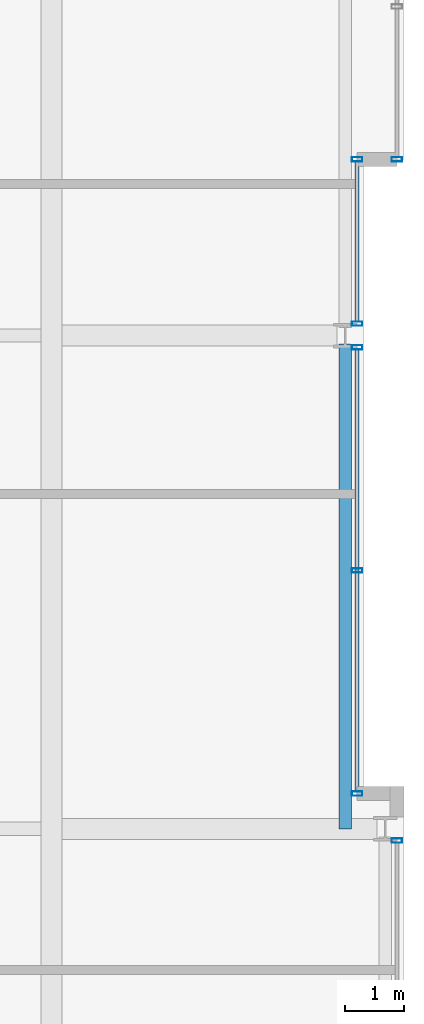
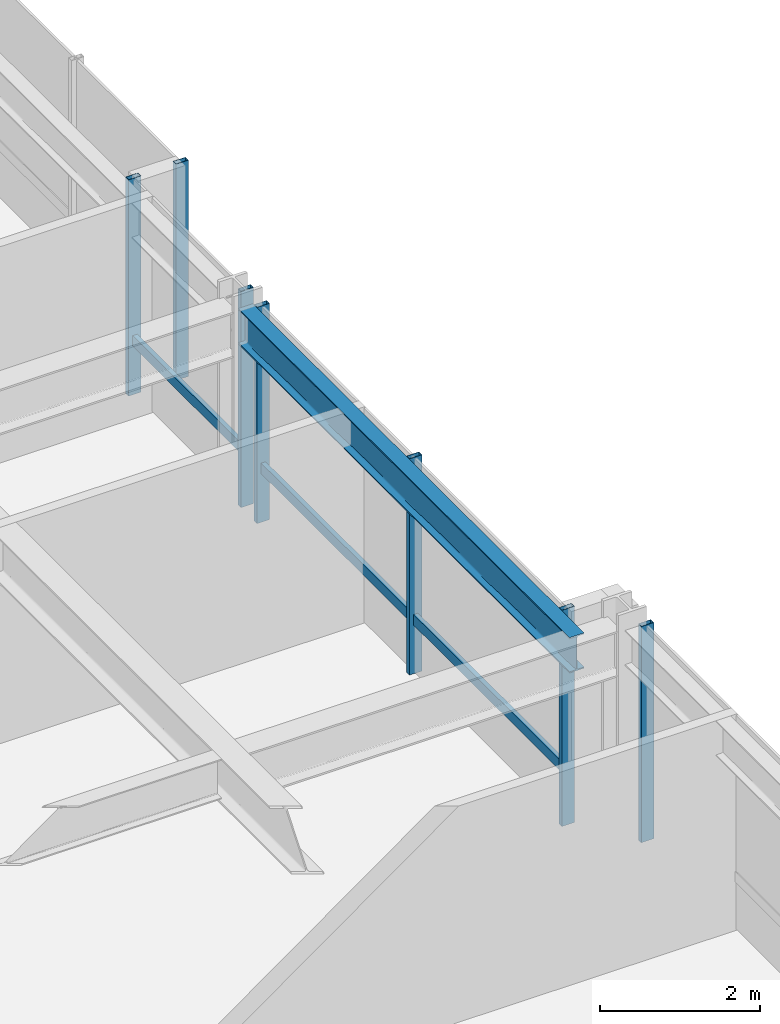
# One storey, part 15 of 33: 9 members, 1 beam, 4 elements without a shape of their own.
"""IFC4 building model written with IfcOpenShell, lengths in metres."""

from ifc_helpers import new_model, si_unit, direction, frame, origin, origin_2d, place, context, subcontext, project, spatial, hollow_rectangle, i_section, extrude, material, layer, layer_set, material_profile, profile_set, type_object, element, aggregate, save


model = new_model("IFC4")

# Units and contexts
model_context = context("Model", 3, precision=1e-05, world=origin(), true_north=direction((0.0, 1.0)))
body_context = subcontext(model_context, "Body", "Model", "MODEL_VIEW")
ifc_project = project(units=[si_unit("LENGTHUNIT", "METRE"), si_unit("AREAUNIT", "SQUARE_METRE"), si_unit("VOLUMEUNIT", "CUBIC_METRE"), si_unit("PLANEANGLEUNIT", "RADIAN"), si_unit("MASSUNIT", "GRAM", prefix="KILO")], contexts=[model_context])

# Site, building, storey
site_placement = place(None, origin())
site = spatial("IfcSite", under=ifc_project, at=site_placement, CompositionType="ELEMENT")
building_placement = place(site_placement, origin())
building = spatial("IfcBuilding", under=site, at=building_placement, Name="Drelvath Grand Hotel", CompositionType="ELEMENT")
storey_placement = place(building_placement, frame((0.0, 0.0, 171.699951171875)))
storey = spatial("IfcBuildingStorey", under=building, at=storey_placement, Name="L44", CompositionType="ELEMENT", Elevation=171.699951171875)

# Curtain wall, member
ifc_material_1 = material(Name="Brushed Pale-Silver Anodised Aluminium Frame", Category="aluminium")
ifc_layer = layer(ifc_material_1, 0.199951171875)
ifc_layer_set = layer_set([ifc_layer], Name="Brushed Pale-Silver Anodised Aluminium Frame")
curtain_wall_type = type_object("IfcCurtainWallType", Name="Stick Curtain Wall CW-04 Brushed Silver Upper-Mid", PredefinedType="NOTDEFINED", material=ifc_layer_set)
curtain_wall_1_placement = place(storey_placement, origin())
curtain_wall_1 = element("IfcCurtainWall", 1, at=curtain_wall_1_placement, inside=storey, type_object=curtain_wall_type, Name="L44 CW-04 Curtain Wall CW04-L44-EM1", PredefinedType="NOTDEFINED")
ifc_material_profile_1 = material_profile(ifc_material_1, hollow_rectangle(XDim=0.06494140625, YDim=0.159912109375, WallThickness=0.00390625, at=origin_2d()), Name="HSS160X65X4")
ifc_profile_set_1 = profile_set([ifc_material_profile_1], Name="Brushed Pale-Silver Anodised Aluminium Frame")
member_type_1 = type_object("IfcMemberType", Name="Curtain Wall Horizontal Transom CW-04 HSS160X65X4", PredefinedType="USERDEFINED", material=ifc_profile_set_1)
member_1_placement = place(storey_placement, frame((21.39990234375, 26.760009765625, 0.822509765625), z_axis=(0.0, -1.0, 0.0), x_axis=(1.0, 0.0, 0.0)))
member_1 = element("IfcMember", 2, at=member_1_placement, type_object=member_type_1, Name="CW04-L44-EM1 Sill Transom", ObjectType="TRANSOM", PredefinedType="USERDEFINED", context=body_context, shape_type="SweptSolid", body=[
    extrude(hollow_rectangle(XDim=0.06494140625, YDim=0.159912109375, WallThickness=0.00390625, at=origin_2d()), origin(), (0.0, 0.0, 1.0), 7.52001953125),
])

curtain_wall_2_placement = place(storey_placement, origin())
curtain_wall_2 = element("IfcCurtainWall", 3, at=curtain_wall_2_placement, inside=storey, type_object=curtain_wall_type, Name="L44 CW-04 Curtain Wall CW04-L44-EM2", PredefinedType="NOTDEFINED")
member_2_placement = place(storey_placement, frame((21.39990234375, 29.9599609375, 0.822509765625), z_axis=(0.0, -1.0, 0.0), x_axis=(1.0, 0.0, 0.0)))
member_2 = element("IfcMember", 4, at=member_2_placement, type_object=member_type_1, Name="CW04-L44-EM2 Sill Transom", ObjectType="TRANSOM", PredefinedType="USERDEFINED", context=body_context, shape_type="SweptSolid", body=[
    extrude(hollow_rectangle(XDim=0.06494140625, YDim=0.159912109375, WallThickness=0.00390625, at=origin_2d()), origin(), (0.0, 0.0, 1.0), 2.719970703125),
])

curtain_wall_3_placement = place(storey_placement, origin())
curtain_wall_3 = element("IfcCurtainWall", 5, at=curtain_wall_3_placement, inside=storey, type_object=curtain_wall_type, Name="L44 CW-04 Curtain Wall CW04-L44-EN1", PredefinedType="NOTDEFINED")
ifc_material_profile_2 = material_profile(ifc_material_1, hollow_rectangle(XDim=0.074951171875, YDim=0.179931640625, WallThickness=0.0048828125, at=origin_2d()), Name="HSS180X75X5")
ifc_profile_set_2 = profile_set([ifc_material_profile_2], Name="Brushed Pale-Silver Anodised Aluminium Frame")
member_type_2 = type_object("IfcMemberType", Name="Curtain Wall Vertical Mullion CW-04 HSS180X75X5", PredefinedType="MULLION", material=ifc_profile_set_2)
member_3_placement = place(storey_placement, frame((22.080078125, 30.0, 0.0), z_axis=(0.0, 0.0, 1.0), x_axis=(0.0, 1.0, 0.0)))
member_3 = element("IfcMember", 6, at=member_3_placement, type_object=member_type_2, Name="CW04-L44-EN1 Mullion 3", PredefinedType="MULLION", context=body_context, shape_type="SweptSolid", body=[
    extrude(hollow_rectangle(XDim=0.074951171875, YDim=0.179931640625, WallThickness=0.0048828125, at=origin_2d()), origin(), (0.0, 0.0, 1.0), 3.2900390625),
])
aggregate(curtain_wall_3, [member_3])

# Member
member_4_placement = place(storey_placement, frame((21.39990234375, 26.7998046875, 0.0), z_axis=(0.0, 0.0, 1.0), x_axis=(0.0, 1.0, 0.0)))
member_4 = element("IfcMember", 7, at=member_4_placement, type_object=member_type_2, Name="CW04-L44-EM1 Mullion 1", PredefinedType="MULLION", context=body_context, shape_type="SweptSolid", body=[
    extrude(hollow_rectangle(XDim=0.074951171875, YDim=0.179931640625, WallThickness=0.0048828125, at=origin_2d()), origin(), (0.0, 0.0, 1.0), 3.2900390625),
])

member_5_placement = place(storey_placement, frame((21.39990234375, 23.0, 0.0), z_axis=(0.0, 0.0, 1.0), x_axis=(0.0, 1.0, 0.0)))
member_5 = element("IfcMember", 8, at=member_5_placement, type_object=member_type_2, Name="CW04-L44-EM1 Mullion 2", PredefinedType="MULLION", context=body_context, shape_type="SweptSolid", body=[
    extrude(hollow_rectangle(XDim=0.074951171875, YDim=0.179931640625, WallThickness=0.0048828125, at=origin_2d()), origin(), (0.0, 0.0, 1.0), 3.2900390625),
])

member_6_placement = place(storey_placement, frame((21.39990234375, 19.199951171875, 0.0), z_axis=(0.0, 0.0, 1.0), x_axis=(0.0, 1.0, 0.0)))
member_6 = element("IfcMember", 9, at=member_6_placement, type_object=member_type_2, Name="CW04-L44-EM1 Mullion 3", PredefinedType="MULLION", context=body_context, shape_type="SweptSolid", body=[
    extrude(hollow_rectangle(XDim=0.074951171875, YDim=0.179931640625, WallThickness=0.0048828125, at=origin_2d()), origin(), (0.0, 0.0, 1.0), 3.2900390625),
])

aggregate(curtain_wall_1, [member_4, member_5, member_6, member_1])

member_7_placement = place(storey_placement, frame((21.39990234375, 30.0, 0.0), z_axis=(0.0, 0.0, 1.0), x_axis=(0.0, 1.0, 0.0)))
member_7 = element("IfcMember", 10, at=member_7_placement, type_object=member_type_2, Name="CW04-L44-EM2 Mullion 1", PredefinedType="MULLION", context=body_context, shape_type="SweptSolid", body=[
    extrude(hollow_rectangle(XDim=0.074951171875, YDim=0.179931640625, WallThickness=0.0048828125, at=origin_2d()), origin(), (0.0, 0.0, 1.0), 3.2900390625),
])

member_8_placement = place(storey_placement, frame((21.39990234375, 27.2001953125, 0.0), z_axis=(0.0, 0.0, 1.0), x_axis=(0.0, 1.0, 0.0)))
member_8 = element("IfcMember", 11, at=member_8_placement, type_object=member_type_2, Name="CW04-L44-EM2 Mullion 2", PredefinedType="MULLION", context=body_context, shape_type="SweptSolid", body=[
    extrude(hollow_rectangle(XDim=0.074951171875, YDim=0.179931640625, WallThickness=0.0048828125, at=origin_2d()), origin(), (0.0, 0.0, 1.0), 3.2900390625),
])

aggregate(curtain_wall_2, [member_7, member_8, member_2])

# Curtain wall, member
curtain_wall_4_placement = place(storey_placement, origin())
curtain_wall_4 = element("IfcCurtainWall", 12, at=curtain_wall_4_placement, inside=storey, type_object=curtain_wall_type, Name="L44 CW-04 Curtain Wall CW04-L44-ES2", PredefinedType="NOTDEFINED")
member_9_placement = place(storey_placement, frame((22.080078125, 18.39990234375, 0.0), z_axis=(0.0, 0.0, 1.0), x_axis=(0.0, 1.0, 0.0)))
member_9 = element("IfcMember", 13, at=member_9_placement, type_object=member_type_2, Name="CW04-L44-ES2 Mullion 1", PredefinedType="MULLION", context=body_context, shape_type="SweptSolid", body=[
    extrude(hollow_rectangle(XDim=0.074951171875, YDim=0.179931640625, WallThickness=0.0048828125, at=origin_2d()), origin(), (0.0, 0.0, 1.0), 3.2900390625),
])
aggregate(curtain_wall_4, [member_9])

# Beam
ifc_material_2 = material(Name="Steel ASTM A992 Gr 50", Category="steel")
ifc_material_profile_3 = material_profile(ifc_material_2, i_section(OverallWidth=0.210205078125, OverallDepth=0.53662109375, WebThickness=0.010986328125, FlangeThickness=0.017333984375, FilletRadius=0.01806640625, at=origin_2d()), Name="W21X68")
ifc_profile_set_3 = profile_set([ifc_material_profile_3], Name="Steel ASTM A992 Gr 50")
beam_type = type_object("IfcBeamType", Name="Perimeter Spandrel Beam W21X68", PredefinedType="SPANDREL", material=ifc_profile_set_3)
beam_placement = place(storey_placement, frame((21.199951171875, 18.60009765625, 3.021728515625), z_axis=(0.0, 1.0, 0.0), x_axis=(-1.0, 0.0, 0.0)))
element("IfcBeam", 14, at=beam_placement, inside=storey, type_object=beam_type, Name="L44 Spandrel East Mid S", PredefinedType="SPANDREL", context=body_context, shape_type="SweptSolid", body=[
    extrude(i_section(OverallWidth=0.210205078125, OverallDepth=0.53662109375, WebThickness=0.010986328125, FlangeThickness=0.017333984375, FilletRadius=0.01806640625, at=origin_2d()), origin(), (0.0, 0.0, 1.0), 8.260009765625),
])

save(model, "model.ifc")
